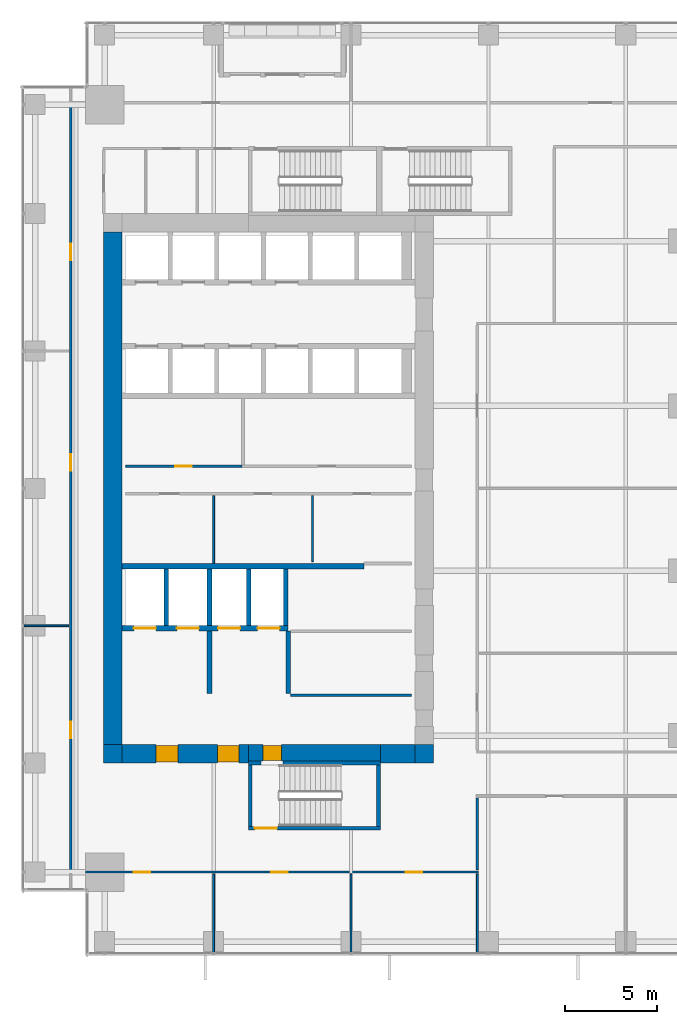
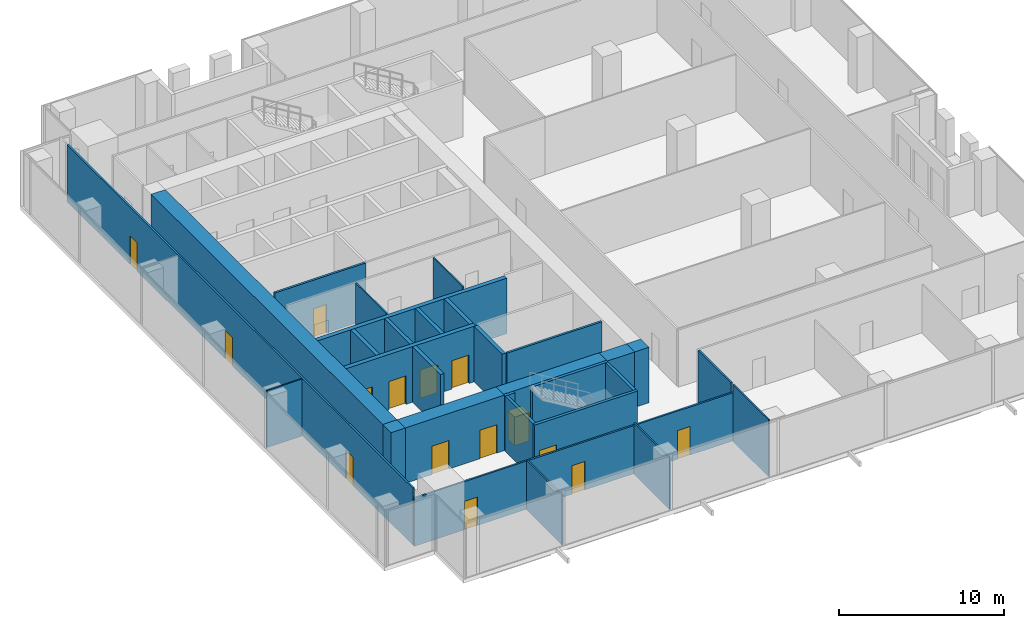
# One storey, part 28 of 34: 30 walls, 15 doors, 15 openings.
"""IFC4 building model written with IfcOpenShell, lengths in metres."""

from ifc_helpers import new_model, si_unit, direction, frame, frame_2d, origin, place, context, subcontext, project, spatial, rectangle, extrude, source, transform, mapped, material, layer, layer_set, type_object, element, fill, save


model = new_model("IFC4")

# Units and contexts
model_context = context("Model", 3, precision=1e-05, world=origin(), true_north=direction((0.0, 1.0)))
body_context = subcontext(model_context, "Body", "Model", "MODEL_VIEW")
ifc_project = project(units=[si_unit("LENGTHUNIT", "METRE"), si_unit("AREAUNIT", "SQUARE_METRE"), si_unit("VOLUMEUNIT", "CUBIC_METRE"), si_unit("PLANEANGLEUNIT", "RADIAN"), si_unit("MASSUNIT", "GRAM", prefix="KILO")], contexts=[model_context])

# Site, building, storey
site_placement = place(None, origin())
site = spatial("IfcSite", under=ifc_project, at=site_placement, CompositionType="ELEMENT")
building_placement = place(site_placement, origin())
building = spatial("IfcBuilding", under=site, at=building_placement, Name="Khomas Fold Tower", CompositionType="ELEMENT")
storey_placement = place(building_placement, frame((0.0, 0.0, 110.300048828125)))
storey = spatial("IfcBuildingStorey", under=building, at=storey_placement, Name="L23", CompositionType="ELEMENT", Elevation=110.300048828125)

# Wall, openings, doors
ifc_material_1 = material(Name="Concrete C70/85", Category="concrete")
ifc_layer_1 = layer(ifc_material_1, 1.0)
ifc_layer_set_1 = layer_set([ifc_layer_1], Name="Concrete C70/85")
wall_type_1 = type_object("IfcWallType", Name="Core wall 1000", PredefinedType="SHEAR", material=ifc_layer_set_1)
shared_shape_1 = source(origin(), body_context, "Body", "SweptSolid", [
    extrude(rectangle(XDim=6.89990234375, YDim=1.0, at=frame_2d((3.449951171875, 0.0))), origin(), (0.0, 0.0, 1.0), 4.099853515625),
])
wall_1_placement = place(storey_placement, frame((7.0, 12.5, 0.0), z_axis=(0.0, 0.0, 1.0), x_axis=(1.0, 0.0, 0.0)))
wall_1 = element("IfcWall", 1, at=wall_1_placement, inside=storey, type_object=wall_type_1, Name="Core wall CW-L-S-L21", PredefinedType="SHEAR", context=body_context, shape_type="MappedRepresentation", body=[
    mapped(shared_shape_1, transform((0.0, 0.0, 0.0))),
])
shared_shape_2 = source(origin(), body_context, "Body", "SweptSolid", [
    extrude(rectangle(XDim=1.199951171875, YDim=2.10009765625, at=frame_2d((0.60009765625, 1.050048828125))), frame((0.0, 0.510009765625, 0.0), z_axis=(0.0, -1.0, 0.0), x_axis=(1.0, 0.0, 0.0)), (0.0, 0.0, 1.0), 1.02001953125),
])
opening_1_placement = place(wall_1_placement, frame((5.199951171875, 0.0, 0.0)))
opening_1 = element("IfcOpeningElement", 2, at=opening_1_placement, cuts=wall_1, Name="Opening 0009", PredefinedType="OPENING", context=body_context, shape_type="MappedRepresentation", body=[
    mapped(shared_shape_2, transform((0.0, 0.0, 0.0))),
])
opening_2_placement = place(wall_1_placement, frame((1.85009765625, 0.0, 0.0)))
opening_2 = element("IfcOpeningElement", 3, at=opening_2_placement, cuts=wall_1, Name="Opening 0009", PredefinedType="OPENING", context=body_context, shape_type="MappedRepresentation", body=[
    mapped(shared_shape_2, transform((0.0, 0.0, 0.0))),
])
ifc_material_2 = material(Name="Steel door leaf", Category="steel")
door_type_1 = type_object("IfcDoorType", Name="Lobby door 1200x2100 right-hand", OperationType="SINGLE_SWING_RIGHT", PredefinedType="DOOR", material=ifc_material_2)
shared_shape_3 = source(origin(), body_context, "Body", "SweptSolid", [
    extrude(rectangle(XDim=1.199951171875, YDim=2.10009765625, at=frame_2d((0.60009765625, 1.050048828125))), frame((0.0, 0.449951171875, 0.0), z_axis=(0.0, -1.0, 0.0), x_axis=(1.0, 0.0, 0.0)), (0.0, 0.0, 1.0), 0.89990234375),
])
door_1_placement = place(opening_1_placement, origin())
door_1 = element("IfcDoor", 4, at=door_1_placement, inside=storey, type_object=door_type_1, Name="Lobby door", OperationType="SINGLE_SWING_RIGHT", OverallHeight=2.10009765625, OverallWidth=1.199951171875, PredefinedType="DOOR", context=body_context, shape_type="MappedRepresentation", body=[
    mapped(shared_shape_3, transform((0.0, 0.0, 0.0))),
])
fill(opening_1, door_1)
door_2_placement = place(opening_2_placement, origin())
door_2 = element("IfcDoor", 5, at=door_2_placement, inside=storey, type_object=door_type_1, Name="Lobby door", OperationType="SINGLE_SWING_RIGHT", OverallHeight=2.10009765625, OverallWidth=1.199951171875, PredefinedType="DOOR", context=body_context, shape_type="MappedRepresentation", body=[
    mapped(shared_shape_3, transform((0.0, 0.0, 0.0))),
])
fill(opening_2, door_2)

# Walls
ifc_material_3 = material(Name="Concrete C70/85", Category="concrete")
ifc_layer_2 = layer(ifc_material_3, 1.0)
ifc_layer_set_2 = layer_set([ifc_layer_2], Name="Concrete C70/85")
wall_type_2 = type_object("IfcWallType", Name="Core corner wall 1000", PredefinedType="SHEAR", material=ifc_layer_set_2)
shared_shape_4 = source(origin(), body_context, "Body", "SweptSolid", [
    extrude(rectangle(XDim=1.0, YDim=1.0, at=frame_2d((0.5, 0.0))), origin(), (0.0, 0.0, 1.0), 4.099853515625),
])
for number, where, z_axis, x_axis, name in (
    (6, (23.0, 12.5, 0.0), (0.0, 0.0, 1.0), (1.0, 0.0, 0.0), "Core wall CW-L-SE-L21"),
    (7, (6.0, 12.5, 0.0), (0.0, 0.0, 1.0), (1.0, 0.0, 0.0), "Core wall CW-L-SW-L21"),
):
    element("IfcWall", number, at=place(storey_placement, frame(where, z_axis=z_axis, x_axis=x_axis)), inside=storey, type_object=wall_type_2, Name=name, PredefinedType="SHEAR", context=body_context, shape_type="MappedRepresentation", body=[
        mapped(shared_shape_4, transform((0.0, 0.0, 0.0))),
    ])

# Wall, opening, door
ifc_material_4 = material(Name="Concrete C70/85", Category="concrete")
ifc_layer_3 = layer(ifc_material_4, 0.89990234375)
ifc_layer_set_3 = layer_set([ifc_layer_3], Name="Concrete C70/85")
wall_type_3 = type_object("IfcWallType", Name="Core wall 900", PredefinedType="SHEAR", material=ifc_layer_set_3)
shared_shape_5 = source(origin(), body_context, "Body", "SweptSolid", [
    extrude(rectangle(XDim=7.2001953125, YDim=0.89990234375, at=frame_2d((3.60009765625, 0.0))), origin(), (0.0, 0.0, 1.0), 4.099853515625),
])
wall_2_placement = place(storey_placement, frame((13.89990234375, 12.550048828125, 0.0), z_axis=(0.0, 0.0, 1.0), x_axis=(1.0, 0.0, 0.0)))
wall_2 = element("IfcWall", 8, at=wall_2_placement, inside=storey, type_object=wall_type_3, Name="Core wall CW-L-S-L21-1", PredefinedType="SHEAR", context=body_context, shape_type="MappedRepresentation", body=[
    mapped(shared_shape_5, transform((0.0, 0.0, 0.0))),
])
shared_shape_6 = source(origin(), body_context, "Body", "SweptSolid", [
    extrude(rectangle(XDim=1.0, YDim=2.10009765625, at=frame_2d((0.5, 1.050048828125))), frame((0.0, 0.4599609375, 0.0), z_axis=(0.0, -1.0, 0.0), x_axis=(1.0, 0.0, 0.0)), (0.0, 0.0, 1.0), 0.919921875),
])
opening_3_placement = place(wall_2_placement, frame((0.800048828125, 0.0, 0.0)))
opening_3 = element("IfcOpeningElement", 9, at=opening_3_placement, cuts=wall_2, Name="Opening 0010", PredefinedType="OPENING", context=body_context, shape_type="MappedRepresentation", body=[
    mapped(shared_shape_6, transform((0.0, 0.0, 0.0))),
])
ifc_material_5 = material(Name="Steel door leaf", Category="steel")
door_type_2 = type_object("IfcDoorType", Name="Stair door 1000x2100 right-hand", OperationType="SINGLE_SWING_RIGHT", PredefinedType="DOOR", material=ifc_material_5)
shared_shape_7 = source(origin(), body_context, "Body", "SweptSolid", [
    extrude(rectangle(XDim=1.0, YDim=2.10009765625, at=frame_2d((0.5, 1.050048828125))), frame((0.0, 0.39990234375, 0.0), z_axis=(0.0, -1.0, 0.0), x_axis=(1.0, 0.0, 0.0)), (0.0, 0.0, 1.0), 0.7998046875),
])
door_3_placement = place(opening_3_placement, origin())
door_3 = element("IfcDoor", 10, at=door_3_placement, inside=storey, type_object=door_type_2, Name="Stair door", OperationType="SINGLE_SWING_RIGHT", OverallHeight=2.10009765625, OverallWidth=1.0, PredefinedType="DOOR", context=body_context, shape_type="MappedRepresentation", body=[
    mapped(shared_shape_7, transform((0.0, 0.0, 0.0))),
])
fill(opening_3, door_3)

# Walls
shared_shape_8 = source(origin(), body_context, "Body", "SweptSolid", [
    extrude(rectangle(XDim=1.89990234375, YDim=1.0, at=frame_2d((0.949951171875, 0.0))), origin(), (0.0, 0.0, 1.0), 4.099853515625),
])
wall_3_placement = place(storey_placement, frame((21.10009765625, 12.5, 0.0), z_axis=(0.0, 0.0, 1.0), x_axis=(1.0, 0.0, 0.0)))
element("IfcWall", 11, at=wall_3_placement, inside=storey, type_object=wall_type_1, Name="Core wall CW-L-S-L21-2", PredefinedType="SHEAR", context=body_context, shape_type="MappedRepresentation", body=[
    mapped(shared_shape_8, transform((0.0, 0.0, 0.0))),
])
shared_shape_9 = source(origin(), body_context, "Body", "SweptSolid", [
    extrude(rectangle(XDim=28.0, YDim=1.0, at=frame_2d((14.0, 0.0))), origin(), (0.0, 0.0, 1.0), 4.099853515625),
])
wall_4_placement = place(storey_placement, frame((6.5, 13.0, 0.0), z_axis=(0.0, 0.0, 1.0), x_axis=(0.0, 1.0, 0.0)))
element("IfcWall", 12, at=wall_4_placement, inside=storey, type_object=wall_type_1, Name="Core wall CW-L-W-L21", PredefinedType="SHEAR", context=body_context, shape_type="MappedRepresentation", body=[
    mapped(shared_shape_9, transform((0.0, 0.0, 0.0))),
])
ifc_material_6 = material(Name="Concrete C50/60", Category="concrete")
ifc_layer_4 = layer(ifc_material_6, 0.199951171875)
ifc_layer_set_4 = layer_set([ifc_layer_4], Name="Concrete C50/60")
wall_type_4 = type_object("IfcWallType", Name="Stair wall 200", PredefinedType="SHEAR", material=ifc_layer_set_4)
shared_shape_10 = source(origin(), body_context, "Body", "SweptSolid", [
    extrude(rectangle(XDim=0.7001953125, YDim=0.199951171875, at=frame_2d((0.35009765625, 0.0))), origin(), (0.0, 0.0, 1.0), 4.099853515625),
])
wall_5_placement = place(storey_placement, frame((13.89990234375, 12.0, 0.0), z_axis=(0.0, 0.0, 1.0), x_axis=(1.0, 0.0, 0.0)))
element("IfcWall", 13, at=wall_5_placement, inside=storey, type_object=wall_type_4, Name="Stair wall SW-ST2-N", PredefinedType="SHEAR", context=body_context, shape_type="MappedRepresentation", body=[
    mapped(shared_shape_10, transform((0.0, 0.0, 0.0))),
])
shared_shape_11 = source(origin(), body_context, "Body", "SweptSolid", [
    extrude(rectangle(XDim=5.300048828125, YDim=0.199951171875, at=frame_2d((2.64990234375, 0.0))), origin(), (0.0, 0.0, 1.0), 4.099853515625),
])
wall_6_placement = place(storey_placement, frame((15.800048828125, 12.0, 0.0), z_axis=(0.0, 0.0, 1.0), x_axis=(1.0, 0.0, 0.0)))
element("IfcWall", 14, at=wall_6_placement, inside=storey, type_object=wall_type_4, Name="Stair wall SW-ST2-NB", PredefinedType="SHEAR", context=body_context, shape_type="MappedRepresentation", body=[
    mapped(shared_shape_11, transform((0.0, 0.0, 0.0))),
])

# Wall, opening, door
shared_shape_12 = source(origin(), body_context, "Body", "SweptSolid", [
    extrude(rectangle(XDim=7.2001953125, YDim=0.199951171875, at=frame_2d((3.60009765625, 0.0))), origin(), (0.0, 0.0, 1.0), 4.099853515625),
])
wall_7_placement = place(storey_placement, frame((13.89990234375, 8.449951171875, 0.0), z_axis=(0.0, 0.0, 1.0), x_axis=(1.0, 0.0, 0.0)))
wall_7 = element("IfcWall", 15, at=wall_7_placement, inside=storey, type_object=wall_type_4, Name="Stair wall SW-ST2-S", PredefinedType="SHEAR", context=body_context, shape_type="MappedRepresentation", body=[
    mapped(shared_shape_12, transform((0.0, 0.0, 0.0))),
])
shared_shape_13 = source(origin(), body_context, "Body", "SweptSolid", [
    extrude(rectangle(XDim=1.199951171875, YDim=2.10009765625, at=frame_2d((0.60009765625, 1.050048828125))), frame((0.0, 0.10986328125, 0.0), z_axis=(0.0, -1.0, 0.0), x_axis=(1.0, 0.0, 0.0)), (0.0, 0.0, 1.0), 0.219970703125),
])
opening_4_placement = place(wall_7_placement, frame((0.35009765625, 0.0, 0.0)))
opening_4 = element("IfcOpeningElement", 16, at=opening_4_placement, cuts=wall_7, Name="Opening SD-ST2", PredefinedType="OPENING", context=body_context, shape_type="MappedRepresentation", body=[
    mapped(shared_shape_13, transform((0.0, 0.0, 0.0))),
])
ifc_material_7 = material(Name="Steel door leaf", Category="steel")
door_type_3 = type_object("IfcDoorType", Name="Stair door 1200x2100 right-hand", OperationType="SINGLE_SWING_RIGHT", PredefinedType="DOOR", material=ifc_material_7)
shared_shape_14 = source(origin(), body_context, "Body", "SweptSolid", [
    extrude(rectangle(XDim=1.199951171875, YDim=2.10009765625, at=frame_2d((0.60009765625, 1.050048828125))), frame((0.0, 0.02490234375, 0.0), z_axis=(0.0, -1.0, 0.0), x_axis=(1.0, 0.0, 0.0)), (0.0, 0.0, 1.0), 0.050048828125),
])
door_4_placement = place(opening_4_placement, origin())
door_4 = element("IfcDoor", 17, at=door_4_placement, inside=storey, type_object=door_type_3, Name="Stair door", OperationType="SINGLE_SWING_RIGHT", OverallHeight=2.10009765625, OverallWidth=1.199951171875, PredefinedType="DOOR", context=body_context, shape_type="MappedRepresentation", body=[
    mapped(shared_shape_14, transform((0.0, 0.0, 0.0))),
])
fill(opening_4, door_4)

# Walls
shared_shape_15 = source(origin(), body_context, "Body", "SweptSolid", [
    extrude(rectangle(XDim=3.349853515625, YDim=0.199951171875, at=frame_2d((1.6748046875, 0.0))), origin(), (0.0, 0.0, 1.0), 4.099853515625),
])
for number, where, z_axis, x_axis, name in (
    (18, (21.0, 8.550048828125, 0.0), (0.0, 0.0, 1.0), (0.0, 1.0, 0.0), "Stair wall SW-ST2-E"),
    (19, (14.0, 8.550048828125, 0.0), (0.0, 0.0, 1.0), (0.0, 1.0, 0.0), "Stair wall SW-ST2-W"),
):
    element("IfcWall", number, at=place(storey_placement, frame(where, z_axis=z_axis, x_axis=x_axis)), inside=storey, type_object=wall_type_4, Name=name, PredefinedType="SHEAR", context=body_context, shape_type="MappedRepresentation", body=[
        mapped(shared_shape_15, transform((0.0, 0.0, 0.0))),
    ])
ifc_material_8 = material(Name="Concrete C50/60", Category="concrete")
ifc_layer_5 = layer(ifc_material_8, 0.300048828125)
ifc_layer_set_5 = layer_set([ifc_layer_5], Name="Concrete C50/60")
wall_type_5 = type_object("IfcWallType", Name="Shaft wall 300", PredefinedType="STANDARD", material=ifc_layer_set_5)
shared_shape_16 = source(origin(), body_context, "Body", "SweptSolid", [
    extrude(rectangle(XDim=13.199951171875, YDim=0.300048828125, at=frame_2d((6.60009765625, 0.0))), origin(), (0.0, 0.0, 1.0), 4.099853515625),
])
wall_8_placement = place(storey_placement, frame((7.0, 22.75, 0.0), z_axis=(0.0, 0.0, 1.0), x_axis=(1.0, 0.0, 0.0)))
element("IfcWall", 20, at=wall_8_placement, inside=storey, type_object=wall_type_5, Name="Core wall SW-FS-B", PredefinedType="STANDARD", context=body_context, shape_type="MappedRepresentation", body=[
    mapped(shared_shape_16, transform((0.0, 0.0, 0.0))),
])

# Wall, openings, doors
shared_shape_17 = source(origin(), body_context, "Body", "SweptSolid", [
    extrude(rectangle(XDim=9.074951171875, YDim=0.300048828125, at=frame_2d((4.53759765625, 0.0))), origin(), (0.0, 0.0, 1.0), 4.099853515625),
])
wall_9_placement = place(storey_placement, frame((7.0, 19.35009765625, 0.0), z_axis=(0.0, 0.0, 1.0), x_axis=(1.0, 0.0, 0.0)))
wall_9 = element("IfcWall", 21, at=wall_9_placement, inside=storey, type_object=wall_type_5, Name="Core wall SW-FS-F", PredefinedType="STANDARD", context=body_context, shape_type="MappedRepresentation", body=[
    mapped(shared_shape_17, transform((0.0, 0.0, 0.0))),
])
shared_shape_18 = source(origin(), body_context, "Body", "SweptSolid", [
    extrude(rectangle(XDim=1.199951171875, YDim=2.10009765625, at=frame_2d((0.60009765625, 1.050048828125))), frame((0.0, 0.159912109375, 0.0), z_axis=(0.0, -1.0, 0.0), x_axis=(1.0, 0.0, 0.0)), (0.0, 0.0, 1.0), 0.320068359375),
])
opening_5_placement = place(wall_9_placement, frame((0.64990234375, 0.0, 0.0)))
opening_5 = element("IfcOpeningElement", 22, at=opening_5_placement, cuts=wall_9, Name="Opening LD-SV1", PredefinedType="OPENING", context=body_context, shape_type="MappedRepresentation", body=[
    mapped(shared_shape_18, transform((0.0, 0.0, 0.0))),
])
opening_6_placement = place(wall_9_placement, frame((3.0, 0.0, 0.0)))
opening_6 = element("IfcOpeningElement", 23, at=opening_6_placement, cuts=wall_9, Name="Opening LD-SV2", PredefinedType="OPENING", context=body_context, shape_type="MappedRepresentation", body=[
    mapped(shared_shape_18, transform((0.0, 0.0, 0.0))),
])
opening_7_placement = place(wall_9_placement, frame((5.25, 0.0, 0.0)))
opening_7 = element("IfcOpeningElement", 24, at=opening_7_placement, cuts=wall_9, Name="Opening LD-FF1", PredefinedType="OPENING", context=body_context, shape_type="MappedRepresentation", body=[
    mapped(shared_shape_18, transform((0.0, 0.0, 0.0))),
])
opening_8_placement = place(wall_9_placement, frame((7.39990234375, 0.0, 0.0)))
opening_8 = element("IfcOpeningElement", 25, at=opening_8_placement, cuts=wall_9, Name="Opening LD-FF2", PredefinedType="OPENING", context=body_context, shape_type="MappedRepresentation", body=[
    mapped(shared_shape_18, transform((0.0, 0.0, 0.0))),
])
ifc_material_9 = material(Name="Steel door leaf", Category="steel")
door_type_4 = type_object("IfcDoorType", Name="Landing door 1200x2100", OperationType="DOUBLE_DOOR_SLIDING", PredefinedType="DOOR", material=ifc_material_9)
door_5_placement = place(opening_5_placement, origin())
door_5 = element("IfcDoor", 26, at=door_5_placement, inside=storey, type_object=door_type_4, Name="Lift landing door", OperationType="DOUBLE_DOOR_SLIDING", OverallHeight=2.10009765625, OverallWidth=1.199951171875, PredefinedType="DOOR", context=body_context, shape_type="MappedRepresentation", body=[
    mapped(shared_shape_14, transform((0.0, 0.0, 0.0))),
])
fill(opening_5, door_5)
door_6_placement = place(opening_6_placement, origin())
door_6 = element("IfcDoor", 27, at=door_6_placement, inside=storey, type_object=door_type_4, Name="Lift landing door", OperationType="DOUBLE_DOOR_SLIDING", OverallHeight=2.10009765625, OverallWidth=1.199951171875, PredefinedType="DOOR", context=body_context, shape_type="MappedRepresentation", body=[
    mapped(shared_shape_14, transform((0.0, 0.0, 0.0))),
])
fill(opening_6, door_6)
door_7_placement = place(opening_7_placement, origin())
door_7 = element("IfcDoor", 28, at=door_7_placement, inside=storey, type_object=door_type_4, Name="Lift landing door", OperationType="DOUBLE_DOOR_SLIDING", OverallHeight=2.10009765625, OverallWidth=1.199951171875, PredefinedType="DOOR", context=body_context, shape_type="MappedRepresentation", body=[
    mapped(shared_shape_14, transform((0.0, 0.0, 0.0))),
])
fill(opening_7, door_7)
door_8_placement = place(opening_8_placement, origin())
door_8 = element("IfcDoor", 29, at=door_8_placement, inside=storey, type_object=door_type_4, Name="Lift landing door", OperationType="DOUBLE_DOOR_SLIDING", OverallHeight=2.10009765625, OverallWidth=1.199951171875, PredefinedType="DOOR", context=body_context, shape_type="MappedRepresentation", body=[
    mapped(shared_shape_14, transform((0.0, 0.0, 0.0))),
])
fill(opening_8, door_8)

# Walls
ifc_material_10 = material(Name="Concrete C50/60", Category="concrete")
ifc_layer_6 = layer(ifc_material_10, 0.25)
ifc_layer_set_6 = layer_set([ifc_layer_6], Name="Concrete C50/60")
wall_type_6 = type_object("IfcWallType", Name="Shaft wall 250", PredefinedType="STANDARD", material=ifc_layer_set_6)
shared_shape_19 = source(origin(), body_context, "Body", "SweptSolid", [
    extrude(rectangle(XDim=3.10009765625, YDim=0.25, at=frame_2d((1.550048828125, 0.0))), origin(), (0.0, 0.0, 1.0), 4.099853515625),
])
for number, where, z_axis, x_axis, name in (
    (30, (9.425048828125, 19.5, 0.0), (0.0, 0.0, 1.0), (0.0, 1.0, 0.0), "Core wall SW-FS-P1"),
    (31, (11.77490234375, 19.5, 0.0), (0.0, 0.0, 1.0), (0.0, 1.0, 0.0), "Core wall SW-FS-P2"),
    (32, (13.925048828125, 19.5, 0.0), (0.0, 0.0, 1.0), (0.0, 1.0, 0.0), "Core wall SW-FS-P3"),
    (33, (15.949951171875, 19.5, 0.0), (0.0, 0.0, 1.0), (0.0, 1.0, 0.0), "Core wall SW-FS-PE"),
):
    element("IfcWall", number, at=place(storey_placement, frame(where, z_axis=z_axis, x_axis=x_axis)), inside=storey, type_object=wall_type_6, Name=name, PredefinedType="STANDARD", context=body_context, shape_type="MappedRepresentation", body=[
        mapped(shared_shape_19, transform((0.0, 0.0, 0.0))),
    ])
ifc_material_11 = material(Name="Concrete C50/60", Category="concrete")
ifc_layer_7 = layer(ifc_material_11, 0.25)
ifc_layer_set_7 = layer_set([ifc_layer_7], Name="Concrete C50/60")
wall_type_7 = type_object("IfcWallType", Name="Lobby wall 250", PredefinedType="STANDARD", material=ifc_layer_set_7)
shared_shape_20 = source(origin(), body_context, "Body", "SweptSolid", [
    extrude(rectangle(XDim=3.39990234375, YDim=0.25, at=frame_2d((1.699951171875, 0.0))), origin(), (0.0, 0.0, 1.0), 4.099853515625),
])
for number, where, z_axis, x_axis, name in (
    (34, (16.074951171875, 15.800048828125, 0.0), (0.0, 0.0, 1.0), (0.0, 1.0, 0.0), "Core wall SW-FS-LOB-E"),
    (35, (11.77490234375, 15.800048828125, 0.0), (0.0, 0.0, 1.0), (0.0, 1.0, 0.0), "Core wall SW-FS-SEP"),
):
    element("IfcWall", number, at=place(storey_placement, frame(where, z_axis=z_axis, x_axis=x_axis)), inside=storey, type_object=wall_type_7, Name=name, PredefinedType="STANDARD", context=body_context, shape_type="MappedRepresentation", body=[
        mapped(shared_shape_20, transform((0.0, 0.0, 0.0))),
    ])
ifc_material_12 = material(Name="Plasterboard partition")
ifc_layer_8 = layer(ifc_material_12, 0.10009765625)
ifc_layer_set_8 = layer_set([ifc_layer_8], Name="Plasterboard partition")
wall_type_8 = type_object("IfcWallType", Name="Partition PW1 100", PredefinedType="PARTITIONING", material=ifc_layer_set_8)
shared_shape_21 = source(origin(), body_context, "Body", "SweptSolid", [
    extrude(rectangle(XDim=4.300048828125, YDim=0.10009765625, at=frame_2d((2.14990234375, 0.0))), origin(), (0.0, 0.0, 1.0), 3.64990234375),
])
wall_10_placement = place(storey_placement, frame((12.0, 1.64990234375, 0.0), z_axis=(0.0, 0.0, 1.0), x_axis=(0.0, 1.0, 0.0)))
element("IfcWall", 36, at=wall_10_placement, inside=storey, type_object=wall_type_8, Name="Partition", PredefinedType="PARTITIONING", context=body_context, shape_type="MappedRepresentation", body=[
    mapped(shared_shape_21, transform((0.0, 0.0, 0.0))),
])
shared_shape_22 = source(origin(), body_context, "Body", "SweptSolid", [
    extrude(rectangle(XDim=4.300048828125, YDim=0.10009765625, at=frame_2d((2.14990234375, 0.0))), origin(), (0.0, 0.0, 1.0), 3.77001953125),
])
wall_11_placement = place(storey_placement, frame((19.5, 1.64990234375, 0.0), z_axis=(0.0, 0.0, 1.0), x_axis=(0.0, 1.0, 0.0)))
element("IfcWall", 37, at=wall_11_placement, inside=storey, type_object=wall_type_8, Name="Partition", PredefinedType="PARTITIONING", context=body_context, shape_type="MappedRepresentation", body=[
    mapped(shared_shape_22, transform((0.0, 0.0, 0.0))),
])
shared_shape_23 = source(origin(), body_context, "Body", "SweptSolid", [
    extrude(rectangle(XDim=4.300048828125, YDim=0.10009765625, at=frame_2d((2.14990234375, 0.0))), origin(), (0.0, 0.0, 1.0), 4.199951171875),
])
wall_12_placement = place(storey_placement, frame((26.39990234375, 1.64990234375, 0.0), z_axis=(0.0, 0.0, 1.0), x_axis=(0.0, 1.0, 0.0)))
element("IfcWall", 38, at=wall_12_placement, inside=storey, type_object=wall_type_8, Name="Partition", PredefinedType="PARTITIONING", context=body_context, shape_type="MappedRepresentation", body=[
    mapped(shared_shape_23, transform((0.0, 0.0, 0.0))),
])

# Wall, openings, doors
ifc_material_13 = material(Name="Plasterboard partition")
ifc_layer_9 = layer(ifc_material_13, 0.125)
ifc_layer_set_9 = layer_set([ifc_layer_9], Name="Plasterboard partition")
wall_type_9 = type_object("IfcWallType", Name="Partition PW2 125", PredefinedType="PARTITIONING", material=ifc_layer_set_9)
shared_shape_24 = source(origin(), body_context, "Body", "SweptSolid", [
    extrude(rectangle(XDim=22.300048828125, YDim=0.125, at=frame_2d((11.14990234375, 0.0))), origin(), (0.0, 0.0, 1.0), 3.550048828125),
])
wall_13_placement = place(storey_placement, frame((4.14990234375, 6.050048828125, 0.0), z_axis=(0.0, 0.0, 1.0), x_axis=(1.0, 0.0, 0.0)))
wall_13 = element("IfcWall", 39, at=wall_13_placement, inside=storey, type_object=wall_type_9, Name="Partition", PredefinedType="PARTITIONING", context=body_context, shape_type="MappedRepresentation", body=[
    mapped(shared_shape_24, transform((0.0, 0.0, 0.0))),
])
shared_shape_25 = source(origin(), body_context, "Body", "SweptSolid", [
    extrude(rectangle(XDim=0.89990234375, YDim=2.10009765625, at=frame_2d((0.449951171875, 1.050048828125))), frame((0.0, 0.072509765625, 0.0), z_axis=(0.0, -1.0, 0.0), x_axis=(1.0, 0.0, 0.0)), (0.0, 0.0, 1.0), 0.14501953125),
])
opening_9_placement = place(wall_13_placement, frame((3.5, 0.0, 0.0)))
opening_9 = element("IfcOpeningElement", 40, at=opening_9_placement, cuts=wall_13, Name="Opening 0007", PredefinedType="OPENING", context=body_context, shape_type="MappedRepresentation", body=[
    mapped(shared_shape_25, transform((0.0, 0.0, 0.0))),
])
opening_10_placement = place(wall_13_placement, frame((11.0, 0.0, 0.0)))
opening_10 = element("IfcOpeningElement", 41, at=opening_10_placement, cuts=wall_13, Name="Opening 0007", PredefinedType="OPENING", context=body_context, shape_type="MappedRepresentation", body=[
    mapped(shared_shape_25, transform((0.0, 0.0, 0.0))),
])
opening_11_placement = place(wall_13_placement, frame((18.35009765625, 0.0, 0.0)))
opening_11 = element("IfcOpeningElement", 42, at=opening_11_placement, cuts=wall_13, Name="Opening 0007", PredefinedType="OPENING", context=body_context, shape_type="MappedRepresentation", body=[
    mapped(shared_shape_25, transform((0.0, 0.0, 0.0))),
])
ifc_material_14 = material(Name="Timber door leaf", Category="wood")
door_type_5 = type_object("IfcDoorType", Name="Door 900x2100 left-hand", OperationType="SINGLE_SWING_LEFT", PredefinedType="DOOR", material=ifc_material_14)
shared_shape_26 = source(origin(), body_context, "Body", "SweptSolid", [
    extrude(rectangle(XDim=0.89990234375, YDim=2.10009765625, at=frame_2d((0.449951171875, 1.050048828125))), frame((0.0, 0.02490234375, 0.0), z_axis=(0.0, -1.0, 0.0), x_axis=(1.0, 0.0, 0.0)), (0.0, 0.0, 1.0), 0.050048828125),
])
door_9_placement = place(opening_9_placement, origin())
door_9 = element("IfcDoor", 43, at=door_9_placement, inside=storey, type_object=door_type_5, Name="Door", OperationType="SINGLE_SWING_LEFT", OverallHeight=2.10009765625, OverallWidth=0.89990234375, PredefinedType="DOOR", context=body_context, shape_type="MappedRepresentation", body=[
    mapped(shared_shape_26, transform((0.0, 0.0, 0.0))),
])
fill(opening_9, door_9)
door_10_placement = place(opening_10_placement, origin())
door_10 = element("IfcDoor", 44, at=door_10_placement, inside=storey, type_object=door_type_5, Name="Door", OperationType="SINGLE_SWING_LEFT", OverallHeight=2.10009765625, OverallWidth=0.89990234375, PredefinedType="DOOR", context=body_context, shape_type="MappedRepresentation", body=[
    mapped(shared_shape_26, transform((0.0, 0.0, 0.0))),
])
fill(opening_10, door_10)
door_11_placement = place(opening_11_placement, origin())
door_11 = element("IfcDoor", 45, at=door_11_placement, inside=storey, type_object=door_type_5, Name="Door", OperationType="SINGLE_SWING_LEFT", OverallHeight=2.10009765625, OverallWidth=0.89990234375, PredefinedType="DOOR", context=body_context, shape_type="MappedRepresentation", body=[
    mapped(shared_shape_26, transform((0.0, 0.0, 0.0))),
])
fill(opening_11, door_11)

shared_shape_27 = source(origin(), body_context, "Body", "SweptSolid", [
    extrude(rectangle(XDim=41.800048828125, YDim=0.125, at=frame_2d((20.89990234375, 0.0))), origin(), (0.0, 0.0, 1.0), 4.199951171875),
])
wall_14_placement = place(storey_placement, frame((4.199951171875, 6.14990234375, 0.0), z_axis=(0.0, 0.0, 1.0), x_axis=(0.0, 1.0, 0.0)))
wall_14 = element("IfcWall", 46, at=wall_14_placement, inside=storey, type_object=wall_type_9, Name="Partition", PredefinedType="PARTITIONING", context=body_context, shape_type="MappedRepresentation", body=[
    mapped(shared_shape_27, transform((0.0, 0.0, 0.0))),
])
opening_12_placement = place(wall_14_placement, frame((7.199951171875, 0.0, 0.0)))
opening_12 = element("IfcOpeningElement", 47, at=opening_12_placement, cuts=wall_14, Name="Opening 0008", PredefinedType="OPENING", context=body_context, shape_type="MappedRepresentation", body=[
    mapped(shared_shape_25, transform((0.0, 0.0, 0.0))),
])
opening_13_placement = place(wall_14_placement, frame((21.800048828125, 0.0, 0.0)))
opening_13 = element("IfcOpeningElement", 48, at=opening_13_placement, cuts=wall_14, Name="Opening 0007", PredefinedType="OPENING", context=body_context, shape_type="MappedRepresentation", body=[
    mapped(shared_shape_25, transform((0.0, 0.0, 0.0))),
])
opening_14_placement = place(wall_14_placement, frame((33.300048828125, 0.0, 0.0)))
opening_14 = element("IfcOpeningElement", 49, at=opening_14_placement, cuts=wall_14, Name="Opening 0008", PredefinedType="OPENING", context=body_context, shape_type="MappedRepresentation", body=[
    mapped(shared_shape_25, transform((0.0, 0.0, 0.0))),
])
ifc_material_15 = material(Name="Timber door leaf", Category="wood")
door_type_6 = type_object("IfcDoorType", Name="Door 900x2100 right-hand", OperationType="SINGLE_SWING_RIGHT", PredefinedType="DOOR", material=ifc_material_15)
door_12_placement = place(opening_12_placement, origin())
door_12 = element("IfcDoor", 50, at=door_12_placement, inside=storey, type_object=door_type_6, Name="Door", OperationType="SINGLE_SWING_RIGHT", OverallHeight=2.10009765625, OverallWidth=0.89990234375, PredefinedType="DOOR", context=body_context, shape_type="MappedRepresentation", body=[
    mapped(shared_shape_26, transform((0.0, 0.0, 0.0))),
])
fill(opening_12, door_12)
door_13_placement = place(opening_13_placement, origin())
door_13 = element("IfcDoor", 51, at=door_13_placement, inside=storey, type_object=door_type_5, Name="Door", OperationType="SINGLE_SWING_LEFT", OverallHeight=2.10009765625, OverallWidth=0.89990234375, PredefinedType="DOOR", context=body_context, shape_type="MappedRepresentation", body=[
    mapped(shared_shape_26, transform((0.0, 0.0, 0.0))),
])
fill(opening_13, door_13)
door_14_placement = place(opening_14_placement, origin())
door_14 = element("IfcDoor", 52, at=door_14_placement, inside=storey, type_object=door_type_6, Name="Door", OperationType="SINGLE_SWING_RIGHT", OverallHeight=2.10009765625, OverallWidth=0.89990234375, PredefinedType="DOOR", context=body_context, shape_type="MappedRepresentation", body=[
    mapped(shared_shape_26, transform((0.0, 0.0, 0.0))),
])
fill(opening_14, door_14)

# Walls
shared_shape_28 = source(origin(), body_context, "Body", "SweptSolid", [
    extrude(rectangle(XDim=3.9501953125, YDim=0.125, at=frame_2d((1.97509765625, 0.0))), origin(), (0.0, 0.0, 1.0), 4.199951171875),
])
wall_15_placement = place(storey_placement, frame((26.39990234375, 6.14990234375, 0.0), z_axis=(0.0, 0.0, 1.0), x_axis=(0.0, 1.0, 0.0)))
element("IfcWall", 53, at=wall_15_placement, inside=storey, type_object=wall_type_9, Name="Partition", PredefinedType="PARTITIONING", context=body_context, shape_type="MappedRepresentation", body=[
    mapped(shared_shape_28, transform((0.0, 0.0, 0.0))),
])
ifc_material_16 = material(Name="Plasterboard fire partition")
ifc_layer_10 = layer(ifc_material_16, 0.14990234375)
ifc_layer_set_10 = layer_set([ifc_layer_10], Name="Plasterboard fire partition")
wall_type_10 = type_object("IfcWallType", Name="Plant room wall PW3 150", PredefinedType="PARTITIONING", material=ifc_layer_set_10)
shared_shape_29 = source(origin(), body_context, "Body", "SweptSolid", [
    extrude(rectangle(XDim=6.60009765625, YDim=0.14990234375, at=frame_2d((3.300048828125, 0.0))), origin(), (0.0, 0.0, 1.0), 4.199951171875),
])
wall_16_placement = place(storey_placement, frame((16.199951171875, 15.699951171875, 0.0), z_axis=(0.0, 0.0, 1.0), x_axis=(1.0, 0.0, 0.0)))
element("IfcWall", 54, at=wall_16_placement, inside=storey, type_object=wall_type_10, Name="Plant room wall", PredefinedType="PARTITIONING", context=body_context, shape_type="MappedRepresentation", body=[
    mapped(shared_shape_29, transform((0.0, 0.0, 0.0))),
])
shared_shape_30 = source(origin(), body_context, "Body", "SweptSolid", [
    extrude(rectangle(XDim=2.4501953125, YDim=0.10009765625, at=frame_2d((1.22509765625, 0.0))), origin(), (0.0, 0.0, 1.0), 4.199951171875),
])
wall_17_placement = place(storey_placement, frame((1.64990234375, 19.5, 0.0), z_axis=(0.0, 0.0, 1.0), x_axis=(1.0, 0.0, 0.0)))
element("IfcWall", 55, at=wall_17_placement, inside=storey, type_object=wall_type_8, Name="Partition", PredefinedType="PARTITIONING", context=body_context, shape_type="MappedRepresentation", body=[
    mapped(shared_shape_30, transform((0.0, 0.0, 0.0))),
])
shared_shape_31 = source(origin(), body_context, "Body", "SweptSolid", [
    extrude(rectangle(XDim=3.7001953125, YDim=0.10009765625, at=frame_2d((1.85009765625, 0.0))), origin(), (0.0, 0.0, 1.0), 4.199951171875),
])
wall_18_placement = place(storey_placement, frame((12.0, 22.89990234375, 0.0), z_axis=(0.0, 0.0, 1.0), x_axis=(0.0, 1.0, 0.0)))
element("IfcWall", 56, at=wall_18_placement, inside=storey, type_object=wall_type_8, Name="Partition", PredefinedType="PARTITIONING", context=body_context, shape_type="MappedRepresentation", body=[
    mapped(shared_shape_31, transform((0.0, 0.0, 0.0))),
])
shared_shape_32 = source(origin(), body_context, "Body", "SweptSolid", [
    extrude(rectangle(XDim=3.60009765625, YDim=0.10009765625, at=frame_2d((1.800048828125, 0.0))), origin(), (0.0, 0.0, 1.0), 4.199951171875),
])
wall_19_placement = place(storey_placement, frame((17.39990234375, 23.0, 0.0), z_axis=(0.0, 0.0, 1.0), x_axis=(0.0, 1.0, 0.0)))
element("IfcWall", 57, at=wall_19_placement, inside=storey, type_object=wall_type_8, Name="Partition", PredefinedType="PARTITIONING", context=body_context, shape_type="MappedRepresentation", body=[
    mapped(shared_shape_32, transform((0.0, 0.0, 0.0))),
])

# Wall, opening, door
shared_shape_33 = source(origin(), body_context, "Body", "SweptSolid", [
    extrude(rectangle(XDim=6.35009765625, YDim=0.14990234375, at=frame_2d((3.175048828125, 0.0))), origin(), (0.0, 0.0, 1.0), 4.199951171875),
])
wall_20_placement = place(storey_placement, frame((7.199951171875, 28.199951171875, 0.0), z_axis=(0.0, 0.0, 1.0), x_axis=(1.0, 0.0, 0.0)))
wall_20 = element("IfcWall", 58, at=wall_20_placement, inside=storey, type_object=wall_type_10, Name="Plant room wall", PredefinedType="PARTITIONING", context=body_context, shape_type="MappedRepresentation", body=[
    mapped(shared_shape_33, transform((0.0, 0.0, 0.0))),
])
shared_shape_34 = source(origin(), body_context, "Body", "SweptSolid", [
    extrude(rectangle(XDim=0.89990234375, YDim=2.10009765625, at=frame_2d((0.449951171875, 1.050048828125))), frame((0.0, 0.0849609375, 0.0), z_axis=(0.0, -1.0, 0.0), x_axis=(1.0, 0.0, 0.0)), (0.0, 0.0, 1.0), 0.169921875),
])
opening_15_placement = place(wall_20_placement, frame((2.699951171875, 0.0, 0.0)))
opening_15 = element("IfcOpeningElement", 59, at=opening_15_placement, cuts=wall_20, Name="Opening 0003", PredefinedType="OPENING", context=body_context, shape_type="MappedRepresentation", body=[
    mapped(shared_shape_34, transform((0.0, 0.0, 0.0))),
])
ifc_material_17 = material(Name="Steel door leaf", Category="steel")
door_type_7 = type_object("IfcDoorType", Name="Plant room door 900x2100 right-hand", OperationType="SINGLE_SWING_RIGHT", PredefinedType="DOOR", material=ifc_material_17)
door_15_placement = place(opening_15_placement, origin())
door_15 = element("IfcDoor", 60, at=door_15_placement, inside=storey, type_object=door_type_7, Name="Plant room door", OperationType="SINGLE_SWING_RIGHT", OverallHeight=2.10009765625, OverallWidth=0.89990234375, PredefinedType="DOOR", context=body_context, shape_type="MappedRepresentation", body=[
    mapped(shared_shape_26, transform((0.0, 0.0, 0.0))),
])
fill(opening_15, door_15)

save(model, "model.ifc")
